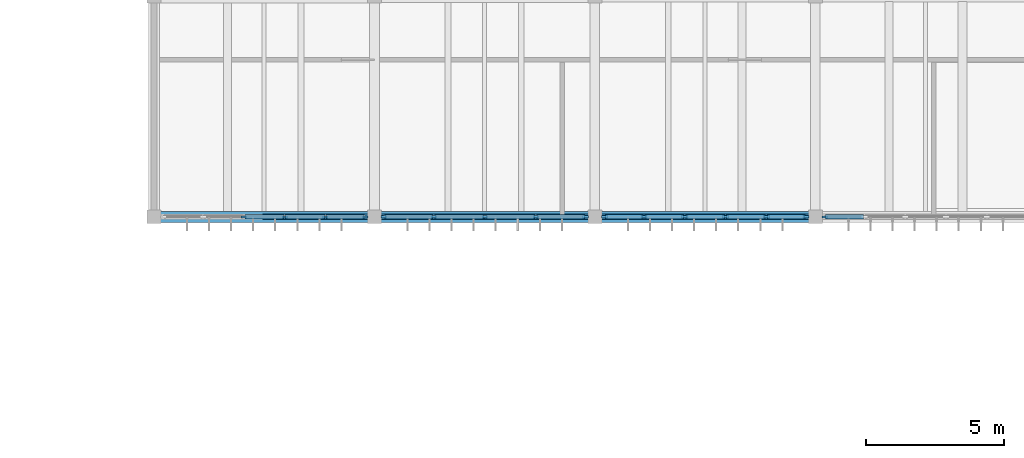
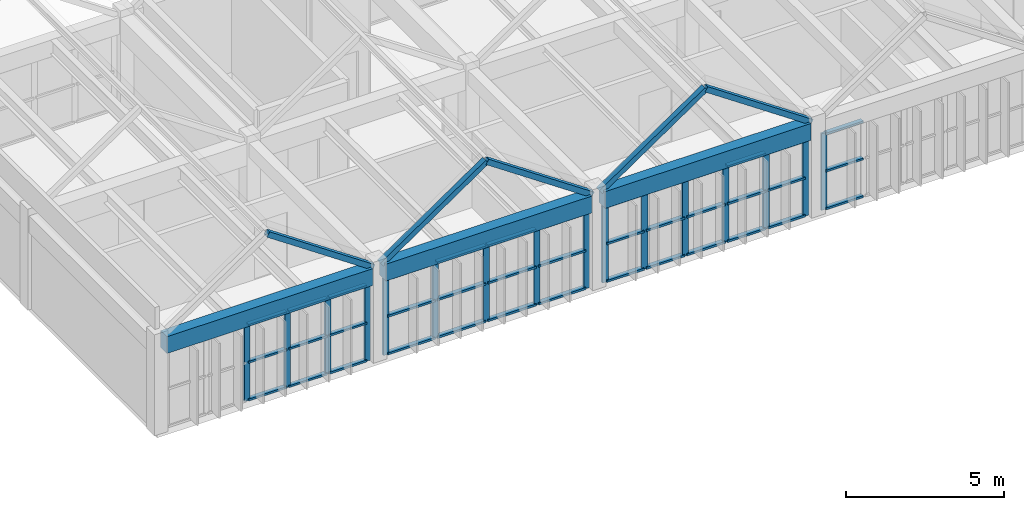
# One storey, part 10 of 31: 60 members, 3 beams, 4 elements without a shape of their own.
"""IFC4 building model written with IfcOpenShell, lengths in metres."""

from ifc_helpers import new_model, si_unit, direction, frame, origin, origin_2d, place, context, subcontext, project, spatial, rectangle, hollow_rectangle, extrude, material, material_profile, profile_set, type_object, element, aggregate, save


model = new_model("IFC4")

# Units and contexts
model_context = context("Model", 3, precision=1e-05, world=origin(), true_north=direction((0.0, 1.0)))
body_context = subcontext(model_context, "Body", "Model", "MODEL_VIEW")
ifc_project = project(units=[si_unit("LENGTHUNIT", "METRE"), si_unit("AREAUNIT", "SQUARE_METRE"), si_unit("VOLUMEUNIT", "CUBIC_METRE"), si_unit("PLANEANGLEUNIT", "RADIAN"), si_unit("MASSUNIT", "GRAM", prefix="KILO")], contexts=[model_context])

# Site, building, storey
site_placement = place(None, origin())
site = spatial("IfcSite", under=ifc_project, at=site_placement, CompositionType="ELEMENT")
building_placement = place(site_placement, origin())
building = spatial("IfcBuilding", under=site, at=building_placement, Name="Tlaxcora Railside Police Headquarters", CompositionType="ELEMENT")
storey_placement = place(building_placement, frame((0.0, 0.0, 18.0)))
storey = spatial("IfcBuildingStorey", under=building, at=storey_placement, Name="L04", CompositionType="ELEMENT", Elevation=18.0)

# Curtain wall, members
ifc_material_1 = material(Name="Thermally broken low-E insulated glazing", Category="glass")
curtain_wall_type_1 = type_object("IfcCurtainWallType", Name="Unitised Curtain Wall Assembly CW-23", PredefinedType="NOTDEFINED", material=ifc_material_1)
curtain_wall_1_placement = place(storey_placement, origin())
curtain_wall_1 = element("IfcCurtainWall", 1, at=curtain_wall_1_placement, inside=storey, type_object=curtain_wall_type_1, Name="V6 L04 curtain wall 172", PredefinedType="NOTDEFINED")
ifc_material_2 = material(Name="Anodised aluminium framing", Category="aluminium")
ifc_material_profile_1 = material_profile(ifc_material_2, rectangle(XDim=0.080078125, YDim=0.219970703125, at=origin_2d()), Name="AL80X220")
ifc_profile_set_1 = profile_set([ifc_material_profile_1], Name="Anodised aluminium framing")
member_type_1 = type_object("IfcMemberType", Name="Curtain Wall Mullion CW-31", PredefinedType="MULLION", material=ifc_profile_set_1)
member_1_placement = place(storey_placement, frame((119.139892578125, 76.800048828125, 0.0), z_axis=(0.0, 0.0, 1.0), x_axis=(0.0, 1.0, 0.0)))
member_1 = element("IfcMember", 2, at=member_1_placement, type_object=member_type_1, Name="CW mullion 1", PredefinedType="MULLION", context=body_context, shape_type="SweptSolid", body=[
    extrude(rectangle(XDim=0.080078125, YDim=0.219970703125, at=origin_2d()), origin(), (0.0, 0.0, 1.0), 2.9599609375),
])
member_2_placement = place(storey_placement, frame((120.580078125, 76.800048828125, 0.0), z_axis=(0.0, 0.0, 1.0), x_axis=(0.0, 1.0, 0.0)))
member_2 = element("IfcMember", 3, at=member_2_placement, type_object=member_type_1, Name="CW mullion 2", PredefinedType="MULLION", context=body_context, shape_type="SweptSolid", body=[
    extrude(rectangle(XDim=0.080078125, YDim=0.219970703125, at=origin_2d()), origin(), (0.0, 0.0, 1.0), 2.9599609375),
])
member_3_placement = place(storey_placement, frame((122.06005859375, 76.800048828125, 0.0), z_axis=(0.0, 0.0, 1.0), x_axis=(0.0, 1.0, 0.0)))
member_3 = element("IfcMember", 4, at=member_3_placement, type_object=member_type_1, Name="CW mullion 3", PredefinedType="MULLION", context=body_context, shape_type="SweptSolid", body=[
    extrude(rectangle(XDim=0.080078125, YDim=0.219970703125, at=origin_2d()), origin(), (0.0, 0.0, 1.0), 2.9599609375),
])
member_4_placement = place(storey_placement, frame((123.5400390625, 76.800048828125, 0.0), z_axis=(0.0, 0.0, 1.0), x_axis=(0.0, 1.0, 0.0)))
member_4 = element("IfcMember", 5, at=member_4_placement, type_object=member_type_1, Name="CW mullion 4", PredefinedType="MULLION", context=body_context, shape_type="SweptSolid", body=[
    extrude(rectangle(XDim=0.080078125, YDim=0.219970703125, at=origin_2d()), origin(), (0.0, 0.0, 1.0), 2.9599609375),
])
member_5_placement = place(storey_placement, frame((125.02001953125, 76.800048828125, 0.0), z_axis=(0.0, 0.0, 1.0), x_axis=(0.0, 1.0, 0.0)))
member_5 = element("IfcMember", 6, at=member_5_placement, type_object=member_type_1, Name="CW mullion 5", PredefinedType="MULLION", context=body_context, shape_type="SweptSolid", body=[
    extrude(rectangle(XDim=0.080078125, YDim=0.219970703125, at=origin_2d()), origin(), (0.0, 0.0, 1.0), 2.9599609375),
])
member_6_placement = place(storey_placement, frame((126.4599609375, 76.800048828125, 0.0), z_axis=(0.0, 0.0, 1.0), x_axis=(0.0, 1.0, 0.0)))
member_6 = element("IfcMember", 7, at=member_6_placement, type_object=member_type_1, Name="CW mullion 6", PredefinedType="MULLION", context=body_context, shape_type="SweptSolid", body=[
    extrude(rectangle(XDim=0.080078125, YDim=0.219970703125, at=origin_2d()), origin(), (0.0, 0.0, 1.0), 2.9599609375),
])

# Curtain wall, member
curtain_wall_type_2 = type_object("IfcCurtainWallType", Name="Unitised Curtain Wall Assembly CW-38", PredefinedType="NOTDEFINED", material=ifc_material_1)
curtain_wall_2_placement = place(storey_placement, origin())
curtain_wall_2 = element("IfcCurtainWall", 8, at=curtain_wall_2_placement, inside=storey, type_object=curtain_wall_type_2, Name="V6 L04 curtain wall 173", PredefinedType="NOTDEFINED")
ifc_material_profile_2 = material_profile(ifc_material_2, rectangle(XDim=0.074951171875, YDim=0.205078125, at=origin_2d()), Name="AL75X205")
ifc_profile_set_2 = profile_set([ifc_material_profile_2], Name="Anodised aluminium framing")
member_type_2 = type_object("IfcMemberType", Name="Curtain Wall Mullion CW-32", PredefinedType="MULLION", material=ifc_profile_set_2)
member_7_placement = place(storey_placement, frame((127.137451171875, 76.800048828125, 0.0), z_axis=(0.0, 0.0, 1.0), x_axis=(0.0, 1.0, 0.0)))
member_7 = element("IfcMember", 9, at=member_7_placement, type_object=member_type_2, Name="CW mullion 1", PredefinedType="MULLION", context=body_context, shape_type="SweptSolid", body=[
    extrude(rectangle(XDim=0.074951171875, YDim=0.205078125, at=origin_2d()), origin(), (0.0, 0.0, 1.0), 2.9599609375),
])

# Curtain wall, members
curtain_wall_type_3 = type_object("IfcCurtainWallType", Name="Unitised Curtain Wall Assembly CW-15", PredefinedType="NOTDEFINED", material=ifc_material_1)
curtain_wall_3_placement = place(storey_placement, origin())
curtain_wall_3 = element("IfcCurtainWall", 10, at=curtain_wall_3_placement, inside=storey, type_object=curtain_wall_type_3, Name="V6 L04 curtain wall 170", PredefinedType="NOTDEFINED")
ifc_material_profile_3 = material_profile(ifc_material_2, rectangle(XDim=0.074951171875, YDim=0.199951171875, at=origin_2d()), Name="AL75X200")
ifc_profile_set_3 = profile_set([ifc_material_profile_3], Name="Anodised aluminium framing")
member_type_3 = type_object("IfcMemberType", Name="Curtain Wall Mullion CW-58", PredefinedType="MULLION", material=ifc_profile_set_3)
member_8_placement = place(storey_placement, frame((106.06005859375, 76.800048828125, 0.0), z_axis=(0.0, 0.0, 1.0), x_axis=(0.0, 1.0, 0.0)))
member_8 = element("IfcMember", 11, at=member_8_placement, type_object=member_type_3, Name="CW mullion 3", PredefinedType="MULLION", context=body_context, shape_type="SweptSolid", body=[
    extrude(rectangle(XDim=0.074951171875, YDim=0.199951171875, at=origin_2d()), origin(), (0.0, 0.0, 1.0), 2.9599609375),
])
member_9_placement = place(storey_placement, frame((107.5400390625, 76.800048828125, 0.0), z_axis=(0.0, 0.0, 1.0), x_axis=(0.0, 1.0, 0.0)))
member_9 = element("IfcMember", 12, at=member_9_placement, type_object=member_type_3, Name="CW mullion 4", PredefinedType="MULLION", context=body_context, shape_type="SweptSolid", body=[
    extrude(rectangle(XDim=0.074951171875, YDim=0.199951171875, at=origin_2d()), origin(), (0.0, 0.0, 1.0), 2.9599609375),
])
member_10_placement = place(storey_placement, frame((109.02001953125, 76.800048828125, 0.0), z_axis=(0.0, 0.0, 1.0), x_axis=(0.0, 1.0, 0.0)))
member_10 = element("IfcMember", 13, at=member_10_placement, type_object=member_type_3, Name="CW mullion 5", PredefinedType="MULLION", context=body_context, shape_type="SweptSolid", body=[
    extrude(rectangle(XDim=0.074951171875, YDim=0.199951171875, at=origin_2d()), origin(), (0.0, 0.0, 1.0), 2.9599609375),
])
member_11_placement = place(storey_placement, frame((110.46240234375, 76.800048828125, 0.0), z_axis=(0.0, 0.0, 1.0), x_axis=(0.0, 1.0, 0.0)))
member_11 = element("IfcMember", 14, at=member_11_placement, type_object=member_type_3, Name="CW mullion 6", PredefinedType="MULLION", context=body_context, shape_type="SweptSolid", body=[
    extrude(rectangle(XDim=0.074951171875, YDim=0.199951171875, at=origin_2d()), origin(), (0.0, 0.0, 1.0), 2.9599609375),
])

curtain_wall_type_4 = type_object("IfcCurtainWallType", Name="Unitised Curtain Wall Assembly CW-83", PredefinedType="NOTDEFINED", material=ifc_material_1)
curtain_wall_4_placement = place(storey_placement, origin())
curtain_wall_4 = element("IfcCurtainWall", 15, at=curtain_wall_4_placement, inside=storey, type_object=curtain_wall_type_4, Name="V6 L04 curtain wall 171", PredefinedType="NOTDEFINED")
ifc_material_profile_4 = material_profile(ifc_material_2, rectangle(XDim=0.080078125, YDim=0.2099609375, at=origin_2d()), Name="AL80X210")
ifc_profile_set_4 = profile_set([ifc_material_profile_4], Name="Anodised aluminium framing")
member_type_4 = type_object("IfcMemberType", Name="Curtain Wall Mullion CW-76", PredefinedType="MULLION", material=ifc_profile_set_4)
member_12_placement = place(storey_placement, frame((111.139892578125, 76.800048828125, 0.0), z_axis=(0.0, 0.0, 1.0), x_axis=(0.0, 1.0, 0.0)))
member_12 = element("IfcMember", 16, at=member_12_placement, type_object=member_type_4, Name="CW mullion 1", PredefinedType="MULLION", context=body_context, shape_type="SweptSolid", body=[
    extrude(rectangle(XDim=0.080078125, YDim=0.2099609375, at=origin_2d()), origin(), (0.0, 0.0, 1.0), 2.9599609375),
])
member_13_placement = place(storey_placement, frame((112.949951171875, 76.800048828125, 0.0), z_axis=(0.0, 0.0, 1.0), x_axis=(0.0, 1.0, 0.0)))
member_13 = element("IfcMember", 17, at=member_13_placement, type_object=member_type_4, Name="CW mullion 2", PredefinedType="MULLION", context=body_context, shape_type="SweptSolid", body=[
    extrude(rectangle(XDim=0.080078125, YDim=0.2099609375, at=origin_2d()), origin(), (0.0, 0.0, 1.0), 2.9599609375),
])
member_14_placement = place(storey_placement, frame((114.800048828125, 76.800048828125, 0.0), z_axis=(0.0, 0.0, 1.0), x_axis=(0.0, 1.0, 0.0)))
member_14 = element("IfcMember", 18, at=member_14_placement, type_object=member_type_4, Name="CW mullion 3", PredefinedType="MULLION", context=body_context, shape_type="SweptSolid", body=[
    extrude(rectangle(XDim=0.080078125, YDim=0.2099609375, at=origin_2d()), origin(), (0.0, 0.0, 1.0), 2.9599609375),
])
member_15_placement = place(storey_placement, frame((116.64990234375, 76.800048828125, 0.0), z_axis=(0.0, 0.0, 1.0), x_axis=(0.0, 1.0, 0.0)))
member_15 = element("IfcMember", 19, at=member_15_placement, type_object=member_type_4, Name="CW mullion 4", PredefinedType="MULLION", context=body_context, shape_type="SweptSolid", body=[
    extrude(rectangle(XDim=0.080078125, YDim=0.2099609375, at=origin_2d()), origin(), (0.0, 0.0, 1.0), 2.9599609375),
])
member_16_placement = place(storey_placement, frame((118.4599609375, 76.800048828125, 0.0), z_axis=(0.0, 0.0, 1.0), x_axis=(0.0, 1.0, 0.0)))
member_16 = element("IfcMember", 20, at=member_16_placement, type_object=member_type_4, Name="CW mullion 5", PredefinedType="MULLION", context=body_context, shape_type="SweptSolid", body=[
    extrude(rectangle(XDim=0.080078125, YDim=0.2099609375, at=origin_2d()), origin(), (0.0, 0.0, 1.0), 2.9599609375),
])

# Member
ifc_material_profile_5 = material_profile(ifc_material_2, rectangle(XDim=0.14990234375, YDim=0.074951171875, at=origin_2d()), Name="AL75X150")
ifc_profile_set_5 = profile_set([ifc_material_profile_5], Name="Anodised aluminium framing")
member_type_5 = type_object("IfcMemberType", Name="Curtain Wall Transom CW-28", PredefinedType="USERDEFINED", material=ifc_profile_set_5)
member_17_placement = place(storey_placement, frame((106.097412109375, 76.800048828125, 0.03759765625), z_axis=(1.0, 0.0, 0.0), x_axis=(0.0, 1.0, 0.0)))
member_17 = element("IfcMember", 21, at=member_17_placement, type_object=member_type_5, Name="CW transom 3.1", ObjectType="TRANSOM", PredefinedType="USERDEFINED", context=body_context, shape_type="SweptSolid", body=[
    extrude(rectangle(XDim=0.14990234375, YDim=0.074951171875, at=origin_2d()), origin(), (0.0, 0.0, 1.0), 1.405029296875),
])

member_18_placement = place(storey_placement, frame((106.097412109375, 76.800048828125, 1.489990234375), z_axis=(1.0, 0.0, 0.0), x_axis=(0.0, 1.0, 0.0)))
member_18 = element("IfcMember", 22, at=member_18_placement, type_object=member_type_5, Name="CW transom 3.2", ObjectType="TRANSOM", PredefinedType="USERDEFINED", context=body_context, shape_type="SweptSolid", body=[
    extrude(rectangle(XDim=0.14990234375, YDim=0.074951171875, at=origin_2d()), origin(), (0.0, 0.0, 1.0), 1.405029296875),
])

member_19_placement = place(storey_placement, frame((106.097412109375, 76.800048828125, 2.922607421875), z_axis=(1.0, 0.0, 0.0), x_axis=(0.0, 1.0, 0.0)))
member_19 = element("IfcMember", 23, at=member_19_placement, type_object=member_type_5, Name="CW transom 3.3", ObjectType="TRANSOM", PredefinedType="USERDEFINED", context=body_context, shape_type="SweptSolid", body=[
    extrude(rectangle(XDim=0.14990234375, YDim=0.074951171875, at=origin_2d()), origin(), (0.0, 0.0, 1.0), 1.405029296875),
])

member_20_placement = place(storey_placement, frame((107.577392578125, 76.800048828125, 0.03759765625), z_axis=(1.0, 0.0, 0.0), x_axis=(0.0, 1.0, 0.0)))
member_20 = element("IfcMember", 24, at=member_20_placement, type_object=member_type_5, Name="CW transom 4.1", ObjectType="TRANSOM", PredefinedType="USERDEFINED", context=body_context, shape_type="SweptSolid", body=[
    extrude(rectangle(XDim=0.14990234375, YDim=0.074951171875, at=origin_2d()), origin(), (0.0, 0.0, 1.0), 1.405029296875),
])

member_21_placement = place(storey_placement, frame((107.577392578125, 76.800048828125, 1.489990234375), z_axis=(1.0, 0.0, 0.0), x_axis=(0.0, 1.0, 0.0)))
member_21 = element("IfcMember", 25, at=member_21_placement, type_object=member_type_5, Name="CW transom 4.2", ObjectType="TRANSOM", PredefinedType="USERDEFINED", context=body_context, shape_type="SweptSolid", body=[
    extrude(rectangle(XDim=0.14990234375, YDim=0.074951171875, at=origin_2d()), origin(), (0.0, 0.0, 1.0), 1.405029296875),
])

member_22_placement = place(storey_placement, frame((107.577392578125, 76.800048828125, 2.922607421875), z_axis=(1.0, 0.0, 0.0), x_axis=(0.0, 1.0, 0.0)))
member_22 = element("IfcMember", 26, at=member_22_placement, type_object=member_type_5, Name="CW transom 4.3", ObjectType="TRANSOM", PredefinedType="USERDEFINED", context=body_context, shape_type="SweptSolid", body=[
    extrude(rectangle(XDim=0.14990234375, YDim=0.074951171875, at=origin_2d()), origin(), (0.0, 0.0, 1.0), 1.405029296875),
])

member_23_placement = place(storey_placement, frame((109.0576171875, 76.800048828125, 0.03759765625), z_axis=(1.0, 0.0, 0.0), x_axis=(0.0, 1.0, 0.0)))
member_23 = element("IfcMember", 27, at=member_23_placement, type_object=member_type_5, Name="CW transom 5.1", ObjectType="TRANSOM", PredefinedType="USERDEFINED", context=body_context, shape_type="SweptSolid", body=[
    extrude(rectangle(XDim=0.14990234375, YDim=0.074951171875, at=origin_2d()), origin(), (0.0, 0.0, 1.0), 1.367431640625),
])

member_24_placement = place(storey_placement, frame((109.0576171875, 76.800048828125, 1.489990234375), z_axis=(1.0, 0.0, 0.0), x_axis=(0.0, 1.0, 0.0)))
member_24 = element("IfcMember", 28, at=member_24_placement, type_object=member_type_5, Name="CW transom 5.2", ObjectType="TRANSOM", PredefinedType="USERDEFINED", context=body_context, shape_type="SweptSolid", body=[
    extrude(rectangle(XDim=0.14990234375, YDim=0.074951171875, at=origin_2d()), origin(), (0.0, 0.0, 1.0), 1.367431640625),
])

member_25_placement = place(storey_placement, frame((109.0576171875, 76.800048828125, 2.922607421875), z_axis=(1.0, 0.0, 0.0), x_axis=(0.0, 1.0, 0.0)))
member_25 = element("IfcMember", 29, at=member_25_placement, type_object=member_type_5, Name="CW transom 5.3", ObjectType="TRANSOM", PredefinedType="USERDEFINED", context=body_context, shape_type="SweptSolid", body=[
    extrude(rectangle(XDim=0.14990234375, YDim=0.074951171875, at=origin_2d()), origin(), (0.0, 0.0, 1.0), 1.367431640625),
])

aggregate(curtain_wall_3, [member_8, member_9, member_10, member_11, member_17, member_18, member_19, member_20, member_21, member_22, member_23, member_24, member_25])

ifc_material_profile_6 = material_profile(ifc_material_2, rectangle(XDim=0.155029296875, YDim=0.074951171875, at=origin_2d()), Name="AL75X155")
ifc_profile_set_6 = profile_set([ifc_material_profile_6], Name="Anodised aluminium framing")
member_type_6 = type_object("IfcMemberType", Name="Curtain Wall Transom CW-30", PredefinedType="USERDEFINED", material=ifc_profile_set_6)
member_26_placement = place(storey_placement, frame((127.175048828125, 76.800048828125, 0.03759765625), z_axis=(1.0, 0.0, 0.0), x_axis=(0.0, 1.0, 0.0)))
member_26 = element("IfcMember", 30, at=member_26_placement, type_object=member_type_6, Name="CW transom 1.1", ObjectType="TRANSOM", PredefinedType="USERDEFINED", context=body_context, shape_type="SweptSolid", body=[
    extrude(rectangle(XDim=0.155029296875, YDim=0.074951171875, at=origin_2d()), origin(), (0.0, 0.0, 1.0), 1.367431640625),
])

member_27_placement = place(storey_placement, frame((127.175048828125, 76.800048828125, 1.489990234375), z_axis=(1.0, 0.0, 0.0), x_axis=(0.0, 1.0, 0.0)))
member_27 = element("IfcMember", 31, at=member_27_placement, type_object=member_type_6, Name="CW transom 1.2", ObjectType="TRANSOM", PredefinedType="USERDEFINED", context=body_context, shape_type="SweptSolid", body=[
    extrude(rectangle(XDim=0.155029296875, YDim=0.074951171875, at=origin_2d()), origin(), (0.0, 0.0, 1.0), 1.367431640625),
])

member_28_placement = place(storey_placement, frame((127.175048828125, 76.800048828125, 2.922607421875), z_axis=(1.0, 0.0, 0.0), x_axis=(0.0, 1.0, 0.0)))
member_28 = element("IfcMember", 32, at=member_28_placement, type_object=member_type_6, Name="CW transom 1.3", ObjectType="TRANSOM", PredefinedType="USERDEFINED", context=body_context, shape_type="SweptSolid", body=[
    extrude(rectangle(XDim=0.155029296875, YDim=0.074951171875, at=origin_2d()), origin(), (0.0, 0.0, 1.0), 1.367431640625),
])

aggregate(curtain_wall_2, [member_7, member_26, member_27, member_28])

ifc_material_profile_7 = material_profile(ifc_material_2, rectangle(XDim=0.1650390625, YDim=0.080078125, at=origin_2d()), Name="AL80X165")
ifc_profile_set_7 = profile_set([ifc_material_profile_7], Name="Anodised aluminium framing")
member_type_7 = type_object("IfcMemberType", Name="Curtain Wall Transom CW-62", PredefinedType="USERDEFINED", material=ifc_profile_set_7)
member_29_placement = place(storey_placement, frame((119.179931640625, 76.800048828125, 0.0400390625), z_axis=(1.0, 0.0, 0.0), x_axis=(0.0, 1.0, 0.0)))
member_29 = element("IfcMember", 33, at=member_29_placement, type_object=member_type_7, Name="CW transom 1.1", ObjectType="TRANSOM", PredefinedType="USERDEFINED", context=body_context, shape_type="SweptSolid", body=[
    extrude(rectangle(XDim=0.1650390625, YDim=0.080078125, at=origin_2d()), origin(), (0.0, 0.0, 1.0), 1.360107421875),
])

member_30_placement = place(storey_placement, frame((119.179931640625, 76.800048828125, 1.489990234375), z_axis=(1.0, 0.0, 0.0), x_axis=(0.0, 1.0, 0.0)))
member_30 = element("IfcMember", 34, at=member_30_placement, type_object=member_type_7, Name="CW transom 1.2", ObjectType="TRANSOM", PredefinedType="USERDEFINED", context=body_context, shape_type="SweptSolid", body=[
    extrude(rectangle(XDim=0.1650390625, YDim=0.080078125, at=origin_2d()), origin(), (0.0, 0.0, 1.0), 1.360107421875),
])

member_31_placement = place(storey_placement, frame((119.179931640625, 76.800048828125, 2.919921875), z_axis=(1.0, 0.0, 0.0), x_axis=(0.0, 1.0, 0.0)))
member_31 = element("IfcMember", 35, at=member_31_placement, type_object=member_type_7, Name="CW transom 1.3", ObjectType="TRANSOM", PredefinedType="USERDEFINED", context=body_context, shape_type="SweptSolid", body=[
    extrude(rectangle(XDim=0.1650390625, YDim=0.080078125, at=origin_2d()), origin(), (0.0, 0.0, 1.0), 1.360107421875),
])

member_32_placement = place(storey_placement, frame((120.6201171875, 76.800048828125, 0.0400390625), z_axis=(1.0, 0.0, 0.0), x_axis=(0.0, 1.0, 0.0)))
member_32 = element("IfcMember", 36, at=member_32_placement, type_object=member_type_7, Name="CW transom 2.1", ObjectType="TRANSOM", PredefinedType="USERDEFINED", context=body_context, shape_type="SweptSolid", body=[
    extrude(rectangle(XDim=0.1650390625, YDim=0.080078125, at=origin_2d()), origin(), (0.0, 0.0, 1.0), 1.39990234375),
])

member_33_placement = place(storey_placement, frame((120.6201171875, 76.800048828125, 1.489990234375), z_axis=(1.0, 0.0, 0.0), x_axis=(0.0, 1.0, 0.0)))
member_33 = element("IfcMember", 37, at=member_33_placement, type_object=member_type_7, Name="CW transom 2.2", ObjectType="TRANSOM", PredefinedType="USERDEFINED", context=body_context, shape_type="SweptSolid", body=[
    extrude(rectangle(XDim=0.1650390625, YDim=0.080078125, at=origin_2d()), origin(), (0.0, 0.0, 1.0), 1.39990234375),
])

member_34_placement = place(storey_placement, frame((120.6201171875, 76.800048828125, 2.919921875), z_axis=(1.0, 0.0, 0.0), x_axis=(0.0, 1.0, 0.0)))
member_34 = element("IfcMember", 38, at=member_34_placement, type_object=member_type_7, Name="CW transom 2.3", ObjectType="TRANSOM", PredefinedType="USERDEFINED", context=body_context, shape_type="SweptSolid", body=[
    extrude(rectangle(XDim=0.1650390625, YDim=0.080078125, at=origin_2d()), origin(), (0.0, 0.0, 1.0), 1.39990234375),
])

member_35_placement = place(storey_placement, frame((122.10009765625, 76.800048828125, 0.0400390625), z_axis=(1.0, 0.0, 0.0), x_axis=(0.0, 1.0, 0.0)))
member_35 = element("IfcMember", 39, at=member_35_placement, type_object=member_type_7, Name="CW transom 3.1", ObjectType="TRANSOM", PredefinedType="USERDEFINED", context=body_context, shape_type="SweptSolid", body=[
    extrude(rectangle(XDim=0.1650390625, YDim=0.080078125, at=origin_2d()), origin(), (0.0, 0.0, 1.0), 1.39990234375),
])

member_36_placement = place(storey_placement, frame((122.10009765625, 76.800048828125, 1.489990234375), z_axis=(1.0, 0.0, 0.0), x_axis=(0.0, 1.0, 0.0)))
member_36 = element("IfcMember", 40, at=member_36_placement, type_object=member_type_7, Name="CW transom 3.2", ObjectType="TRANSOM", PredefinedType="USERDEFINED", context=body_context, shape_type="SweptSolid", body=[
    extrude(rectangle(XDim=0.1650390625, YDim=0.080078125, at=origin_2d()), origin(), (0.0, 0.0, 1.0), 1.39990234375),
])

member_37_placement = place(storey_placement, frame((122.10009765625, 76.800048828125, 2.919921875), z_axis=(1.0, 0.0, 0.0), x_axis=(0.0, 1.0, 0.0)))
member_37 = element("IfcMember", 41, at=member_37_placement, type_object=member_type_7, Name="CW transom 3.3", ObjectType="TRANSOM", PredefinedType="USERDEFINED", context=body_context, shape_type="SweptSolid", body=[
    extrude(rectangle(XDim=0.1650390625, YDim=0.080078125, at=origin_2d()), origin(), (0.0, 0.0, 1.0), 1.39990234375),
])

member_38_placement = place(storey_placement, frame((123.580078125, 76.800048828125, 0.0400390625), z_axis=(1.0, 0.0, 0.0), x_axis=(0.0, 1.0, 0.0)))
member_38 = element("IfcMember", 42, at=member_38_placement, type_object=member_type_7, Name="CW transom 4.1", ObjectType="TRANSOM", PredefinedType="USERDEFINED", context=body_context, shape_type="SweptSolid", body=[
    extrude(rectangle(XDim=0.1650390625, YDim=0.080078125, at=origin_2d()), origin(), (0.0, 0.0, 1.0), 1.39990234375),
])

member_39_placement = place(storey_placement, frame((123.580078125, 76.800048828125, 1.489990234375), z_axis=(1.0, 0.0, 0.0), x_axis=(0.0, 1.0, 0.0)))
member_39 = element("IfcMember", 43, at=member_39_placement, type_object=member_type_7, Name="CW transom 4.2", ObjectType="TRANSOM", PredefinedType="USERDEFINED", context=body_context, shape_type="SweptSolid", body=[
    extrude(rectangle(XDim=0.1650390625, YDim=0.080078125, at=origin_2d()), origin(), (0.0, 0.0, 1.0), 1.39990234375),
])

member_40_placement = place(storey_placement, frame((123.580078125, 76.800048828125, 2.919921875), z_axis=(1.0, 0.0, 0.0), x_axis=(0.0, 1.0, 0.0)))
member_40 = element("IfcMember", 44, at=member_40_placement, type_object=member_type_7, Name="CW transom 4.3", ObjectType="TRANSOM", PredefinedType="USERDEFINED", context=body_context, shape_type="SweptSolid", body=[
    extrude(rectangle(XDim=0.1650390625, YDim=0.080078125, at=origin_2d()), origin(), (0.0, 0.0, 1.0), 1.39990234375),
])

member_41_placement = place(storey_placement, frame((125.06005859375, 76.800048828125, 0.0400390625), z_axis=(1.0, 0.0, 0.0), x_axis=(0.0, 1.0, 0.0)))
member_41 = element("IfcMember", 45, at=member_41_placement, type_object=member_type_7, Name="CW transom 5.1", ObjectType="TRANSOM", PredefinedType="USERDEFINED", context=body_context, shape_type="SweptSolid", body=[
    extrude(rectangle(XDim=0.1650390625, YDim=0.080078125, at=origin_2d()), origin(), (0.0, 0.0, 1.0), 1.35986328125),
])

member_42_placement = place(storey_placement, frame((125.06005859375, 76.800048828125, 1.489990234375), z_axis=(1.0, 0.0, 0.0), x_axis=(0.0, 1.0, 0.0)))
member_42 = element("IfcMember", 46, at=member_42_placement, type_object=member_type_7, Name="CW transom 5.2", ObjectType="TRANSOM", PredefinedType="USERDEFINED", context=body_context, shape_type="SweptSolid", body=[
    extrude(rectangle(XDim=0.1650390625, YDim=0.080078125, at=origin_2d()), origin(), (0.0, 0.0, 1.0), 1.35986328125),
])

member_43_placement = place(storey_placement, frame((125.06005859375, 76.800048828125, 2.919921875), z_axis=(1.0, 0.0, 0.0), x_axis=(0.0, 1.0, 0.0)))
member_43 = element("IfcMember", 47, at=member_43_placement, type_object=member_type_7, Name="CW transom 5.3", ObjectType="TRANSOM", PredefinedType="USERDEFINED", context=body_context, shape_type="SweptSolid", body=[
    extrude(rectangle(XDim=0.1650390625, YDim=0.080078125, at=origin_2d()), origin(), (0.0, 0.0, 1.0), 1.35986328125),
])

aggregate(curtain_wall_1, [member_1, member_2, member_3, member_4, member_5, member_6, member_29, member_30, member_31, member_32, member_33, member_34, member_35, member_36, member_37, member_38, member_39, member_40, member_41, member_42, member_43])

ifc_material_profile_8 = material_profile(ifc_material_2, rectangle(XDim=0.159912109375, YDim=0.080078125, at=origin_2d()), Name="AL80X160")
ifc_profile_set_8 = profile_set([ifc_material_profile_8], Name="Anodised aluminium framing")
member_type_8 = type_object("IfcMemberType", Name="Curtain Wall Transom CW-82", PredefinedType="USERDEFINED", material=ifc_profile_set_8)
member_44_placement = place(storey_placement, frame((111.179931640625, 76.800048828125, 0.0400390625), z_axis=(1.0, 0.0, 0.0), x_axis=(0.0, 1.0, 0.0)))
member_44 = element("IfcMember", 48, at=member_44_placement, type_object=member_type_8, Name="CW transom 1.1", ObjectType="TRANSOM", PredefinedType="USERDEFINED", context=body_context, shape_type="SweptSolid", body=[
    extrude(rectangle(XDim=0.159912109375, YDim=0.080078125, at=origin_2d()), origin(), (0.0, 0.0, 1.0), 1.72998046875),
])

member_45_placement = place(storey_placement, frame((111.179931640625, 76.800048828125, 1.489990234375), z_axis=(1.0, 0.0, 0.0), x_axis=(0.0, 1.0, 0.0)))
member_45 = element("IfcMember", 49, at=member_45_placement, type_object=member_type_8, Name="CW transom 1.2", ObjectType="TRANSOM", PredefinedType="USERDEFINED", context=body_context, shape_type="SweptSolid", body=[
    extrude(rectangle(XDim=0.159912109375, YDim=0.080078125, at=origin_2d()), origin(), (0.0, 0.0, 1.0), 1.72998046875),
])

member_46_placement = place(storey_placement, frame((111.179931640625, 76.800048828125, 2.919921875), z_axis=(1.0, 0.0, 0.0), x_axis=(0.0, 1.0, 0.0)))
member_46 = element("IfcMember", 50, at=member_46_placement, type_object=member_type_8, Name="CW transom 1.3", ObjectType="TRANSOM", PredefinedType="USERDEFINED", context=body_context, shape_type="SweptSolid", body=[
    extrude(rectangle(XDim=0.159912109375, YDim=0.080078125, at=origin_2d()), origin(), (0.0, 0.0, 1.0), 1.72998046875),
])

member_47_placement = place(storey_placement, frame((112.989990234375, 76.800048828125, 0.0400390625), z_axis=(1.0, 0.0, 0.0), x_axis=(0.0, 1.0, 0.0)))
member_47 = element("IfcMember", 51, at=member_47_placement, type_object=member_type_8, Name="CW transom 2.1", ObjectType="TRANSOM", PredefinedType="USERDEFINED", context=body_context, shape_type="SweptSolid", body=[
    extrude(rectangle(XDim=0.159912109375, YDim=0.080078125, at=origin_2d()), origin(), (0.0, 0.0, 1.0), 1.77001953125),
])

member_48_placement = place(storey_placement, frame((112.989990234375, 76.800048828125, 1.489990234375), z_axis=(1.0, 0.0, 0.0), x_axis=(0.0, 1.0, 0.0)))
member_48 = element("IfcMember", 52, at=member_48_placement, type_object=member_type_8, Name="CW transom 2.2", ObjectType="TRANSOM", PredefinedType="USERDEFINED", context=body_context, shape_type="SweptSolid", body=[
    extrude(rectangle(XDim=0.159912109375, YDim=0.080078125, at=origin_2d()), origin(), (0.0, 0.0, 1.0), 1.77001953125),
])

member_49_placement = place(storey_placement, frame((112.989990234375, 76.800048828125, 2.919921875), z_axis=(1.0, 0.0, 0.0), x_axis=(0.0, 1.0, 0.0)))
member_49 = element("IfcMember", 53, at=member_49_placement, type_object=member_type_8, Name="CW transom 2.3", ObjectType="TRANSOM", PredefinedType="USERDEFINED", context=body_context, shape_type="SweptSolid", body=[
    extrude(rectangle(XDim=0.159912109375, YDim=0.080078125, at=origin_2d()), origin(), (0.0, 0.0, 1.0), 1.77001953125),
])

member_50_placement = place(storey_placement, frame((114.840087890625, 76.800048828125, 0.0400390625), z_axis=(1.0, 0.0, 0.0), x_axis=(0.0, 1.0, 0.0)))
member_50 = element("IfcMember", 54, at=member_50_placement, type_object=member_type_8, Name="CW transom 3.1", ObjectType="TRANSOM", PredefinedType="USERDEFINED", context=body_context, shape_type="SweptSolid", body=[
    extrude(rectangle(XDim=0.159912109375, YDim=0.080078125, at=origin_2d()), origin(), (0.0, 0.0, 1.0), 1.77001953125),
])

member_51_placement = place(storey_placement, frame((114.840087890625, 76.800048828125, 1.489990234375), z_axis=(1.0, 0.0, 0.0), x_axis=(0.0, 1.0, 0.0)))
member_51 = element("IfcMember", 55, at=member_51_placement, type_object=member_type_8, Name="CW transom 3.2", ObjectType="TRANSOM", PredefinedType="USERDEFINED", context=body_context, shape_type="SweptSolid", body=[
    extrude(rectangle(XDim=0.159912109375, YDim=0.080078125, at=origin_2d()), origin(), (0.0, 0.0, 1.0), 1.77001953125),
])

member_52_placement = place(storey_placement, frame((114.840087890625, 76.800048828125, 2.919921875), z_axis=(1.0, 0.0, 0.0), x_axis=(0.0, 1.0, 0.0)))
member_52 = element("IfcMember", 56, at=member_52_placement, type_object=member_type_8, Name="CW transom 3.3", ObjectType="TRANSOM", PredefinedType="USERDEFINED", context=body_context, shape_type="SweptSolid", body=[
    extrude(rectangle(XDim=0.159912109375, YDim=0.080078125, at=origin_2d()), origin(), (0.0, 0.0, 1.0), 1.77001953125),
])

member_53_placement = place(storey_placement, frame((116.68994140625, 76.800048828125, 0.0400390625), z_axis=(1.0, 0.0, 0.0), x_axis=(0.0, 1.0, 0.0)))
member_53 = element("IfcMember", 57, at=member_53_placement, type_object=member_type_8, Name="CW transom 4.1", ObjectType="TRANSOM", PredefinedType="USERDEFINED", context=body_context, shape_type="SweptSolid", body=[
    extrude(rectangle(XDim=0.159912109375, YDim=0.080078125, at=origin_2d()), origin(), (0.0, 0.0, 1.0), 1.72998046875),
])

member_54_placement = place(storey_placement, frame((116.68994140625, 76.800048828125, 1.489990234375), z_axis=(1.0, 0.0, 0.0), x_axis=(0.0, 1.0, 0.0)))
member_54 = element("IfcMember", 58, at=member_54_placement, type_object=member_type_8, Name="CW transom 4.2", ObjectType="TRANSOM", PredefinedType="USERDEFINED", context=body_context, shape_type="SweptSolid", body=[
    extrude(rectangle(XDim=0.159912109375, YDim=0.080078125, at=origin_2d()), origin(), (0.0, 0.0, 1.0), 1.72998046875),
])

member_55_placement = place(storey_placement, frame((116.68994140625, 76.800048828125, 2.919921875), z_axis=(1.0, 0.0, 0.0), x_axis=(0.0, 1.0, 0.0)))
member_55 = element("IfcMember", 59, at=member_55_placement, type_object=member_type_8, Name="CW transom 4.3", ObjectType="TRANSOM", PredefinedType="USERDEFINED", context=body_context, shape_type="SweptSolid", body=[
    extrude(rectangle(XDim=0.159912109375, YDim=0.080078125, at=origin_2d()), origin(), (0.0, 0.0, 1.0), 1.72998046875),
])

aggregate(curtain_wall_4, [member_12, member_13, member_14, member_15, member_16, member_44, member_45, member_46, member_47, member_48, member_49, member_50, member_51, member_52, member_53, member_54, member_55])

# Members
ifc_material_3 = material(Name="Steel ASTM A992 Grade 50", Category="steel")
ifc_material_profile_9 = material_profile(ifc_material_3, hollow_rectangle(XDim=0.199951171875, YDim=0.199951171875, WallThickness=0.010009765625, at=origin_2d()), Name="HSS200X200X10")
ifc_profile_set_9 = profile_set([ifc_material_profile_9], Name="Steel ASTM A992 Grade 50")
member_type_9 = type_object("IfcMemberType", Name="Diagonal Brace Member MB-51", PredefinedType="BRACE", material=ifc_profile_set_9)
member_56_placement = place(storey_placement, frame((110.64990234375, 76.800048828125, 3.580078125), z_axis=(-0.826729475311, 0.0, 0.562599657529), x_axis=(0.0, -1.0, 0.0)))
element("IfcMember", 60, at=member_56_placement, inside=storey, type_object=member_type_9, Name="V6 rafter 1E", PredefinedType="BRACE", context=body_context, shape_type="SweptSolid", body=[
    extrude(hollow_rectangle(XDim=0.199951171875, YDim=0.199951171875, WallThickness=0.010009765625, at=origin_2d()), origin(), (0.0, 0.0, 1.0), 4.65673828125),
])
member_57_placement = place(storey_placement, frame((110.949951171875, 76.800048828125, 3.580078125), z_axis=(0.826746068504, 0.0, 0.562575273375), x_axis=(0.0, 1.0, 0.0)))
element("IfcMember", 61, at=member_57_placement, inside=storey, type_object=member_type_9, Name="V6 rafter 2W", PredefinedType="BRACE", context=body_context, shape_type="SweptSolid", body=[
    extrude(hollow_rectangle(XDim=0.199951171875, YDim=0.199951171875, WallThickness=0.010009765625, at=origin_2d()), origin(), (0.0, 0.0, 1.0), 4.656982421875),
])
member_58_placement = place(storey_placement, frame((118.64990234375, 76.800048828125, 3.580078125), z_axis=(-0.826729475311, 0.0, 0.562599657529), x_axis=(0.0, -1.0, 0.0)))
element("IfcMember", 62, at=member_58_placement, inside=storey, type_object=member_type_9, Name="V6 rafter 2E", PredefinedType="BRACE", context=body_context, shape_type="SweptSolid", body=[
    extrude(hollow_rectangle(XDim=0.199951171875, YDim=0.199951171875, WallThickness=0.010009765625, at=origin_2d()), origin(), (0.0, 0.0, 1.0), 4.65673828125),
])
member_59_placement = place(storey_placement, frame((118.949951171875, 76.800048828125, 3.580078125), z_axis=(0.826746068504, 0.0, 0.562575273375), x_axis=(0.0, 1.0, 0.0)))
element("IfcMember", 63, at=member_59_placement, inside=storey, type_object=member_type_9, Name="V6 rafter 3W", PredefinedType="BRACE", context=body_context, shape_type="SweptSolid", body=[
    extrude(hollow_rectangle(XDim=0.199951171875, YDim=0.199951171875, WallThickness=0.010009765625, at=origin_2d()), origin(), (0.0, 0.0, 1.0), 4.656982421875),
])
member_60_placement = place(storey_placement, frame((126.64990234375, 76.800048828125, 3.580078125), z_axis=(-0.826729475311, 0.0, 0.562599657529), x_axis=(0.0, -1.0, 0.0)))
element("IfcMember", 64, at=member_60_placement, inside=storey, type_object=member_type_9, Name="V6 rafter 3E", PredefinedType="BRACE", context=body_context, shape_type="SweptSolid", body=[
    extrude(hollow_rectangle(XDim=0.199951171875, YDim=0.199951171875, WallThickness=0.010009765625, at=origin_2d()), origin(), (0.0, 0.0, 1.0), 4.65673828125),
])

# Beams
ifc_material_4 = material(Name="Concrete C40/50", Category="concrete")
ifc_material_profile_10 = material_profile(ifc_material_4, rectangle(XDim=0.39990234375, YDim=0.64990234375, at=origin_2d()), Name="RC400X650")
ifc_profile_set_10 = profile_set([ifc_material_profile_10], Name="Concrete C40/50")
beam_type = type_object("IfcBeamType", Name="Perimeter Spandrel Beam BM-46", PredefinedType="SPANDREL", material=ifc_profile_set_10)
for number, where, z_axis, x_axis, name in (
    (65, (103.0400390625, 76.800048828125, 3.304931640625), (1.0, 0.0, 0.0), (0.0, 1.0, 0.0), "V6 L04 X-girder Y=76.8"),
    (66, (111.0400390625, 76.800048828125, 3.304931640625), (1.0, 0.0, 0.0), (0.0, 1.0, 0.0), "V6 L04 X-girder Y=76.8"),
    (67, (119.0400390625, 76.800048828125, 3.304931640625), (1.0, 0.0, 0.0), (0.0, 1.0, 0.0), "V6 L04 X-girder Y=76.8"),
):
    element("IfcBeam", number, at=place(storey_placement, frame(where, z_axis=z_axis, x_axis=x_axis)), inside=storey, type_object=beam_type, Name=name, PredefinedType="SPANDREL", context=body_context, shape_type="SweptSolid", body=[
        extrude(rectangle(XDim=0.39990234375, YDim=0.64990234375, at=origin_2d()), origin(), (0.0, 0.0, 1.0), 7.52001953125),
    ])

save(model, "model.ifc")
